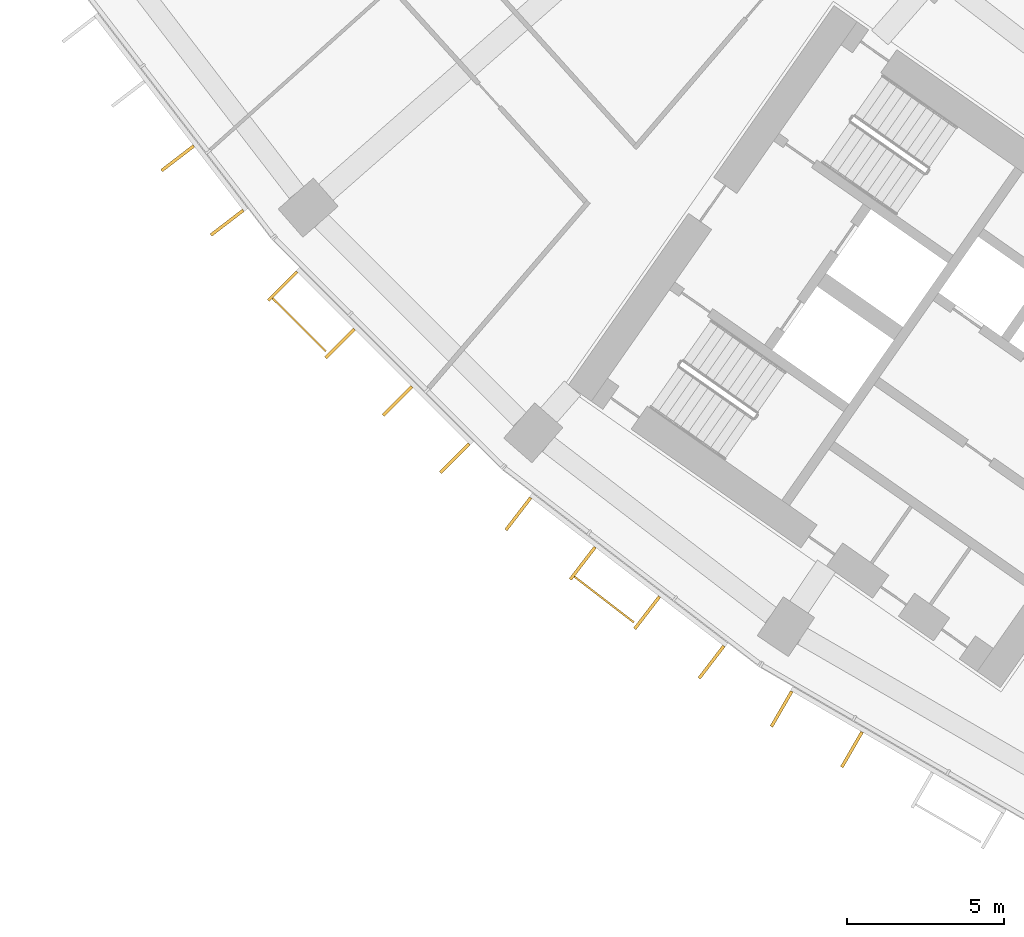
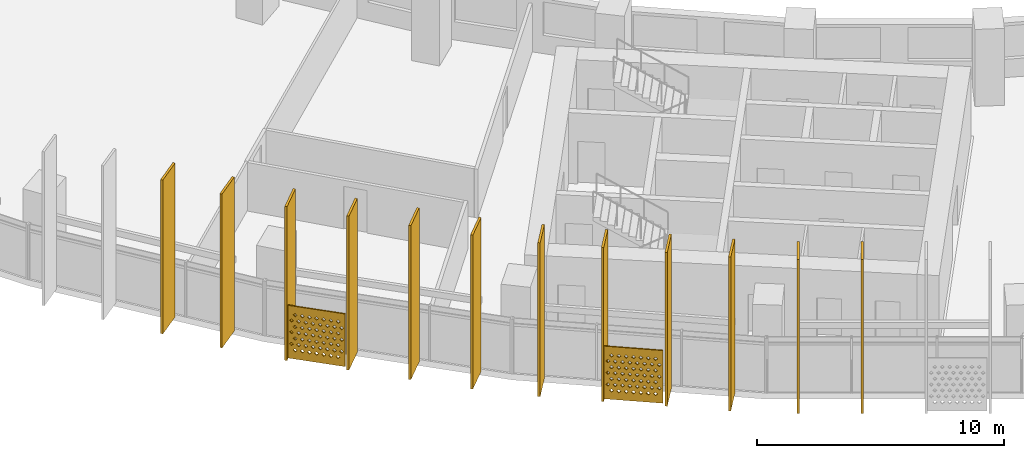
# One storey, part 22 of 29: 14 shading devices.
"""IFC4 building model written with IfcOpenShell, lengths in metres."""

from ifc_helpers import new_model, si_unit, direction, frame, origin, origin_2d, place, context, subcontext, project, spatial, polyline, rectangle, outline, extrude, material, material_profile, profile_set, type_object, element, save


model = new_model("IFC4")

# Units and contexts
model_context = context("Model", 3, precision=1e-05, world=origin(), true_north=direction((0.0, 1.0)))
body_context = subcontext(model_context, "Body", "Model", "MODEL_VIEW")
ifc_project = project(units=[si_unit("LENGTHUNIT", "METRE"), si_unit("AREAUNIT", "SQUARE_METRE"), si_unit("VOLUMEUNIT", "CUBIC_METRE"), si_unit("PLANEANGLEUNIT", "RADIAN"), si_unit("MASSUNIT", "GRAM", prefix="KILO")], contexts=[model_context])

# Site, building, storey
site_placement = place(None, origin())
site = spatial("IfcSite", under=ifc_project, at=site_placement, CompositionType="ELEMENT")
building_placement = place(site_placement, origin())
building = spatial("IfcBuilding", under=site, at=building_placement, Name="Qamariyya Broadcast Tower", CompositionType="ELEMENT")
storey_placement = place(building_placement, frame((0.0, 0.0, 132.89990234375)))
storey = spatial("IfcBuildingStorey", under=building, at=storey_placement, Name="L30", CompositionType="ELEMENT", Elevation=132.89990234375)

# Shading devices
ifc_material_1 = material(Name="Perforated glazed terracotta", Category="masonry")
ifc_material_profile_1 = material_profile(ifc_material_1, outline(polyline([(-1.199951171875, -1.300048828125), (1.199951171875, -1.300048828125), (1.199951171875, 1.300048828125), (-1.199951171875, 1.300048828125), (-1.199951171875, -1.300048828125)]), holes=[polyline([(-0.81494140625, -0.86669921875), (-0.89990234375, -0.78173828125), (-0.985107421875, -0.86669921875), (-0.89990234375, -0.95166015625), (-0.81494140625, -0.86669921875)]), polyline([(-0.514892578125, -0.86669921875), (-0.60009765625, -0.78173828125), (-0.68505859375, -0.86669921875), (-0.60009765625, -0.95166015625), (-0.514892578125, -0.86669921875)]), polyline([(-0.215087890625, -0.86669921875), (-0.300048828125, -0.78173828125), (-0.385009765625, -0.86669921875), (-0.300048828125, -0.95166015625), (-0.215087890625, -0.86669921875)]), polyline([(0.0849609375, -0.86669921875), (0.0, -0.78173828125), (-0.0849609375, -0.86669921875), (0.0, -0.95166015625), (0.0849609375, -0.86669921875)]), polyline([(0.385009765625, -0.86669921875), (0.300048828125, -0.78173828125), (0.215087890625, -0.86669921875), (0.300048828125, -0.95166015625), (0.385009765625, -0.86669921875)]), polyline([(0.68505859375, -0.86669921875), (0.60009765625, -0.78173828125), (0.514892578125, -0.86669921875), (0.60009765625, -0.95166015625), (0.68505859375, -0.86669921875)]), polyline([(0.985107421875, -0.86669921875), (0.89990234375, -0.78173828125), (0.81494140625, -0.86669921875), (0.89990234375, -0.95166015625), (0.985107421875, -0.86669921875)]), polyline([(-0.965087890625, -0.577880859375), (-1.050048828125, -0.49267578125), (-1.135009765625, -0.577880859375), (-1.050048828125, -0.662841796875), (-0.965087890625, -0.577880859375)]), polyline([(-0.6650390625, -0.577880859375), (-0.75, -0.49267578125), (-0.8349609375, -0.577880859375), (-0.75, -0.662841796875), (-0.6650390625, -0.577880859375)]), polyline([(-0.364990234375, -0.577880859375), (-0.449951171875, -0.49267578125), (-0.534912109375, -0.577880859375), (-0.449951171875, -0.662841796875), (-0.364990234375, -0.577880859375)]), polyline([(-0.06494140625, -0.577880859375), (-0.14990234375, -0.49267578125), (-0.235107421875, -0.577880859375), (-0.14990234375, -0.662841796875), (-0.06494140625, -0.577880859375)]), polyline([(0.235107421875, -0.577880859375), (0.14990234375, -0.49267578125), (0.06494140625, -0.577880859375), (0.14990234375, -0.662841796875), (0.235107421875, -0.577880859375)]), polyline([(0.534912109375, -0.577880859375), (0.449951171875, -0.49267578125), (0.364990234375, -0.577880859375), (0.449951171875, -0.662841796875), (0.534912109375, -0.577880859375)]), polyline([(0.8349609375, -0.577880859375), (0.75, -0.49267578125), (0.6650390625, -0.577880859375), (0.75, -0.662841796875), (0.8349609375, -0.577880859375)]), polyline([(1.135009765625, -0.577880859375), (1.050048828125, -0.49267578125), (0.965087890625, -0.577880859375), (1.050048828125, -0.662841796875), (1.135009765625, -0.577880859375)]), polyline([(-0.81494140625, -0.288818359375), (-0.89990234375, -0.203857421875), (-0.985107421875, -0.288818359375), (-0.89990234375, -0.373779296875), (-0.81494140625, -0.288818359375)]), polyline([(-0.514892578125, -0.288818359375), (-0.60009765625, -0.203857421875), (-0.68505859375, -0.288818359375), (-0.60009765625, -0.373779296875), (-0.514892578125, -0.288818359375)]), polyline([(-0.215087890625, -0.288818359375), (-0.300048828125, -0.203857421875), (-0.385009765625, -0.288818359375), (-0.300048828125, -0.373779296875), (-0.215087890625, -0.288818359375)]), polyline([(0.0849609375, -0.288818359375), (0.0, -0.203857421875), (-0.0849609375, -0.288818359375), (0.0, -0.373779296875), (0.0849609375, -0.288818359375)]), polyline([(0.385009765625, -0.288818359375), (0.300048828125, -0.203857421875), (0.215087890625, -0.288818359375), (0.300048828125, -0.373779296875), (0.385009765625, -0.288818359375)]), polyline([(0.68505859375, -0.288818359375), (0.60009765625, -0.203857421875), (0.514892578125, -0.288818359375), (0.60009765625, -0.373779296875), (0.68505859375, -0.288818359375)]), polyline([(0.985107421875, -0.288818359375), (0.89990234375, -0.203857421875), (0.81494140625, -0.288818359375), (0.89990234375, -0.373779296875), (0.985107421875, -0.288818359375)]), polyline([(-0.965087890625, 0.0), (-1.050048828125, 0.0849609375), (-1.135009765625, 0.0), (-1.050048828125, -0.0849609375), (-0.965087890625, 0.0)]), polyline([(-0.6650390625, 0.0), (-0.75, 0.0849609375), (-0.8349609375, 0.0), (-0.75, -0.0849609375), (-0.6650390625, 0.0)]), polyline([(-0.364990234375, 0.0), (-0.449951171875, 0.0849609375), (-0.534912109375, 0.0), (-0.449951171875, -0.0849609375), (-0.364990234375, 0.0)]), polyline([(-0.06494140625, 0.0), (-0.14990234375, 0.0849609375), (-0.235107421875, 0.0), (-0.14990234375, -0.0849609375), (-0.06494140625, 0.0)]), polyline([(0.235107421875, 0.0), (0.14990234375, 0.0849609375), (0.06494140625, 0.0), (0.14990234375, -0.0849609375), (0.235107421875, 0.0)]), polyline([(0.534912109375, 0.0), (0.449951171875, 0.0849609375), (0.364990234375, 0.0), (0.449951171875, -0.0849609375), (0.534912109375, 0.0)]), polyline([(0.8349609375, 0.0), (0.75, 0.0849609375), (0.6650390625, 0.0), (0.75, -0.0849609375), (0.8349609375, 0.0)]), polyline([(1.135009765625, 0.0), (1.050048828125, 0.0849609375), (0.965087890625, 0.0), (1.050048828125, -0.0849609375), (1.135009765625, 0.0)]), polyline([(-0.81494140625, 0.288818359375), (-0.89990234375, 0.373779296875), (-0.985107421875, 0.288818359375), (-0.89990234375, 0.203857421875), (-0.81494140625, 0.288818359375)]), polyline([(-0.514892578125, 0.288818359375), (-0.60009765625, 0.373779296875), (-0.68505859375, 0.288818359375), (-0.60009765625, 0.203857421875), (-0.514892578125, 0.288818359375)]), polyline([(-0.215087890625, 0.288818359375), (-0.300048828125, 0.373779296875), (-0.385009765625, 0.288818359375), (-0.300048828125, 0.203857421875), (-0.215087890625, 0.288818359375)]), polyline([(0.0849609375, 0.288818359375), (0.0, 0.373779296875), (-0.0849609375, 0.288818359375), (0.0, 0.203857421875), (0.0849609375, 0.288818359375)]), polyline([(0.385009765625, 0.288818359375), (0.300048828125, 0.373779296875), (0.215087890625, 0.288818359375), (0.300048828125, 0.203857421875), (0.385009765625, 0.288818359375)]), polyline([(0.68505859375, 0.288818359375), (0.60009765625, 0.373779296875), (0.514892578125, 0.288818359375), (0.60009765625, 0.203857421875), (0.68505859375, 0.288818359375)]), polyline([(0.985107421875, 0.288818359375), (0.89990234375, 0.373779296875), (0.81494140625, 0.288818359375), (0.89990234375, 0.203857421875), (0.985107421875, 0.288818359375)]), polyline([(-0.965087890625, 0.577880859375), (-1.050048828125, 0.662841796875), (-1.135009765625, 0.577880859375), (-1.050048828125, 0.49267578125), (-0.965087890625, 0.577880859375)]), polyline([(-0.6650390625, 0.577880859375), (-0.75, 0.662841796875), (-0.8349609375, 0.577880859375), (-0.75, 0.49267578125), (-0.6650390625, 0.577880859375)]), polyline([(-0.364990234375, 0.577880859375), (-0.449951171875, 0.662841796875), (-0.534912109375, 0.577880859375), (-0.449951171875, 0.49267578125), (-0.364990234375, 0.577880859375)]), polyline([(-0.06494140625, 0.577880859375), (-0.14990234375, 0.662841796875), (-0.235107421875, 0.577880859375), (-0.14990234375, 0.49267578125), (-0.06494140625, 0.577880859375)]), polyline([(0.235107421875, 0.577880859375), (0.14990234375, 0.662841796875), (0.06494140625, 0.577880859375), (0.14990234375, 0.49267578125), (0.235107421875, 0.577880859375)]), polyline([(0.534912109375, 0.577880859375), (0.449951171875, 0.662841796875), (0.364990234375, 0.577880859375), (0.449951171875, 0.49267578125), (0.534912109375, 0.577880859375)]), polyline([(0.8349609375, 0.577880859375), (0.75, 0.662841796875), (0.6650390625, 0.577880859375), (0.75, 0.49267578125), (0.8349609375, 0.577880859375)]), polyline([(1.135009765625, 0.577880859375), (1.050048828125, 0.662841796875), (0.965087890625, 0.577880859375), (1.050048828125, 0.49267578125), (1.135009765625, 0.577880859375)]), polyline([(-0.81494140625, 0.86669921875), (-0.89990234375, 0.95166015625), (-0.985107421875, 0.86669921875), (-0.89990234375, 0.78173828125), (-0.81494140625, 0.86669921875)]), polyline([(-0.514892578125, 0.86669921875), (-0.60009765625, 0.95166015625), (-0.68505859375, 0.86669921875), (-0.60009765625, 0.78173828125), (-0.514892578125, 0.86669921875)]), polyline([(-0.215087890625, 0.86669921875), (-0.300048828125, 0.95166015625), (-0.385009765625, 0.86669921875), (-0.300048828125, 0.78173828125), (-0.215087890625, 0.86669921875)]), polyline([(0.0849609375, 0.86669921875), (0.0, 0.95166015625), (-0.0849609375, 0.86669921875), (0.0, 0.78173828125), (0.0849609375, 0.86669921875)]), polyline([(0.385009765625, 0.86669921875), (0.300048828125, 0.95166015625), (0.215087890625, 0.86669921875), (0.300048828125, 0.78173828125), (0.385009765625, 0.86669921875)]), polyline([(0.68505859375, 0.86669921875), (0.60009765625, 0.95166015625), (0.514892578125, 0.86669921875), (0.60009765625, 0.78173828125), (0.68505859375, 0.86669921875)]), polyline([(0.985107421875, 0.86669921875), (0.89990234375, 0.95166015625), (0.81494140625, 0.86669921875), (0.89990234375, 0.78173828125), (0.985107421875, 0.86669921875)])]))
ifc_profile_set_1 = profile_set([ifc_material_profile_1], Name="Perforated glazed terracotta")
shading_device_type_1 = type_object("IfcShadingDeviceType", Name="Perforated terracotta screen 2400 x 2600", PredefinedType="USERDEFINED", material=ifc_profile_set_1)
shading_device_1_placement = place(storey_placement, frame((-58.71826171875, -54.98486328125, 1.35009765625), z_axis=(-0.705066081692, -0.709141608176, 0.0), x_axis=(0.709141608176, -0.705066081692, 0.0)))
element("IfcShadingDevice", 1, at=shading_device_1_placement, inside=storey, type_object=shading_device_type_1, Name="e-scr-L30-03-0", ObjectType="SCREEN", PredefinedType="USERDEFINED", context=body_context, shape_type="SweptSolid", body=[
    extrude(outline(polyline([(-1.199951171875, -1.300048828125), (1.199951171875, -1.300048828125), (1.199951171875, 1.300048828125), (-1.199951171875, 1.300048828125), (-1.199951171875, -1.300048828125)]), holes=[polyline([(-0.81494140625, -0.86669921875), (-0.89990234375, -0.78173828125), (-0.985107421875, -0.86669921875), (-0.89990234375, -0.95166015625), (-0.81494140625, -0.86669921875)]), polyline([(-0.514892578125, -0.86669921875), (-0.60009765625, -0.78173828125), (-0.68505859375, -0.86669921875), (-0.60009765625, -0.95166015625), (-0.514892578125, -0.86669921875)]), polyline([(-0.215087890625, -0.86669921875), (-0.300048828125, -0.78173828125), (-0.385009765625, -0.86669921875), (-0.300048828125, -0.95166015625), (-0.215087890625, -0.86669921875)]), polyline([(0.0849609375, -0.86669921875), (0.0, -0.78173828125), (-0.0849609375, -0.86669921875), (0.0, -0.95166015625), (0.0849609375, -0.86669921875)]), polyline([(0.385009765625, -0.86669921875), (0.300048828125, -0.78173828125), (0.215087890625, -0.86669921875), (0.300048828125, -0.95166015625), (0.385009765625, -0.86669921875)]), polyline([(0.68505859375, -0.86669921875), (0.60009765625, -0.78173828125), (0.514892578125, -0.86669921875), (0.60009765625, -0.95166015625), (0.68505859375, -0.86669921875)]), polyline([(0.985107421875, -0.86669921875), (0.89990234375, -0.78173828125), (0.81494140625, -0.86669921875), (0.89990234375, -0.95166015625), (0.985107421875, -0.86669921875)]), polyline([(-0.965087890625, -0.577880859375), (-1.050048828125, -0.49267578125), (-1.135009765625, -0.577880859375), (-1.050048828125, -0.662841796875), (-0.965087890625, -0.577880859375)]), polyline([(-0.6650390625, -0.577880859375), (-0.75, -0.49267578125), (-0.8349609375, -0.577880859375), (-0.75, -0.662841796875), (-0.6650390625, -0.577880859375)]), polyline([(-0.364990234375, -0.577880859375), (-0.449951171875, -0.49267578125), (-0.534912109375, -0.577880859375), (-0.449951171875, -0.662841796875), (-0.364990234375, -0.577880859375)]), polyline([(-0.06494140625, -0.577880859375), (-0.14990234375, -0.49267578125), (-0.235107421875, -0.577880859375), (-0.14990234375, -0.662841796875), (-0.06494140625, -0.577880859375)]), polyline([(0.235107421875, -0.577880859375), (0.14990234375, -0.49267578125), (0.06494140625, -0.577880859375), (0.14990234375, -0.662841796875), (0.235107421875, -0.577880859375)]), polyline([(0.534912109375, -0.577880859375), (0.449951171875, -0.49267578125), (0.364990234375, -0.577880859375), (0.449951171875, -0.662841796875), (0.534912109375, -0.577880859375)]), polyline([(0.8349609375, -0.577880859375), (0.75, -0.49267578125), (0.6650390625, -0.577880859375), (0.75, -0.662841796875), (0.8349609375, -0.577880859375)]), polyline([(1.135009765625, -0.577880859375), (1.050048828125, -0.49267578125), (0.965087890625, -0.577880859375), (1.050048828125, -0.662841796875), (1.135009765625, -0.577880859375)]), polyline([(-0.81494140625, -0.288818359375), (-0.89990234375, -0.203857421875), (-0.985107421875, -0.288818359375), (-0.89990234375, -0.373779296875), (-0.81494140625, -0.288818359375)]), polyline([(-0.514892578125, -0.288818359375), (-0.60009765625, -0.203857421875), (-0.68505859375, -0.288818359375), (-0.60009765625, -0.373779296875), (-0.514892578125, -0.288818359375)]), polyline([(-0.215087890625, -0.288818359375), (-0.300048828125, -0.203857421875), (-0.385009765625, -0.288818359375), (-0.300048828125, -0.373779296875), (-0.215087890625, -0.288818359375)]), polyline([(0.0849609375, -0.288818359375), (0.0, -0.203857421875), (-0.0849609375, -0.288818359375), (0.0, -0.373779296875), (0.0849609375, -0.288818359375)]), polyline([(0.385009765625, -0.288818359375), (0.300048828125, -0.203857421875), (0.215087890625, -0.288818359375), (0.300048828125, -0.373779296875), (0.385009765625, -0.288818359375)]), polyline([(0.68505859375, -0.288818359375), (0.60009765625, -0.203857421875), (0.514892578125, -0.288818359375), (0.60009765625, -0.373779296875), (0.68505859375, -0.288818359375)]), polyline([(0.985107421875, -0.288818359375), (0.89990234375, -0.203857421875), (0.81494140625, -0.288818359375), (0.89990234375, -0.373779296875), (0.985107421875, -0.288818359375)]), polyline([(-0.965087890625, 0.0), (-1.050048828125, 0.0849609375), (-1.135009765625, 0.0), (-1.050048828125, -0.0849609375), (-0.965087890625, 0.0)]), polyline([(-0.6650390625, 0.0), (-0.75, 0.0849609375), (-0.8349609375, 0.0), (-0.75, -0.0849609375), (-0.6650390625, 0.0)]), polyline([(-0.364990234375, 0.0), (-0.449951171875, 0.0849609375), (-0.534912109375, 0.0), (-0.449951171875, -0.0849609375), (-0.364990234375, 0.0)]), polyline([(-0.06494140625, 0.0), (-0.14990234375, 0.0849609375), (-0.235107421875, 0.0), (-0.14990234375, -0.0849609375), (-0.06494140625, 0.0)]), polyline([(0.235107421875, 0.0), (0.14990234375, 0.0849609375), (0.06494140625, 0.0), (0.14990234375, -0.0849609375), (0.235107421875, 0.0)]), polyline([(0.534912109375, 0.0), (0.449951171875, 0.0849609375), (0.364990234375, 0.0), (0.449951171875, -0.0849609375), (0.534912109375, 0.0)]), polyline([(0.8349609375, 0.0), (0.75, 0.0849609375), (0.6650390625, 0.0), (0.75, -0.0849609375), (0.8349609375, 0.0)]), polyline([(1.135009765625, 0.0), (1.050048828125, 0.0849609375), (0.965087890625, 0.0), (1.050048828125, -0.0849609375), (1.135009765625, 0.0)]), polyline([(-0.81494140625, 0.288818359375), (-0.89990234375, 0.373779296875), (-0.985107421875, 0.288818359375), (-0.89990234375, 0.203857421875), (-0.81494140625, 0.288818359375)]), polyline([(-0.514892578125, 0.288818359375), (-0.60009765625, 0.373779296875), (-0.68505859375, 0.288818359375), (-0.60009765625, 0.203857421875), (-0.514892578125, 0.288818359375)]), polyline([(-0.215087890625, 0.288818359375), (-0.300048828125, 0.373779296875), (-0.385009765625, 0.288818359375), (-0.300048828125, 0.203857421875), (-0.215087890625, 0.288818359375)]), polyline([(0.0849609375, 0.288818359375), (0.0, 0.373779296875), (-0.0849609375, 0.288818359375), (0.0, 0.203857421875), (0.0849609375, 0.288818359375)]), polyline([(0.385009765625, 0.288818359375), (0.300048828125, 0.373779296875), (0.215087890625, 0.288818359375), (0.300048828125, 0.203857421875), (0.385009765625, 0.288818359375)]), polyline([(0.68505859375, 0.288818359375), (0.60009765625, 0.373779296875), (0.514892578125, 0.288818359375), (0.60009765625, 0.203857421875), (0.68505859375, 0.288818359375)]), polyline([(0.985107421875, 0.288818359375), (0.89990234375, 0.373779296875), (0.81494140625, 0.288818359375), (0.89990234375, 0.203857421875), (0.985107421875, 0.288818359375)]), polyline([(-0.965087890625, 0.577880859375), (-1.050048828125, 0.662841796875), (-1.135009765625, 0.577880859375), (-1.050048828125, 0.49267578125), (-0.965087890625, 0.577880859375)]), polyline([(-0.6650390625, 0.577880859375), (-0.75, 0.662841796875), (-0.8349609375, 0.577880859375), (-0.75, 0.49267578125), (-0.6650390625, 0.577880859375)]), polyline([(-0.364990234375, 0.577880859375), (-0.449951171875, 0.662841796875), (-0.534912109375, 0.577880859375), (-0.449951171875, 0.49267578125), (-0.364990234375, 0.577880859375)]), polyline([(-0.06494140625, 0.577880859375), (-0.14990234375, 0.662841796875), (-0.235107421875, 0.577880859375), (-0.14990234375, 0.49267578125), (-0.06494140625, 0.577880859375)]), polyline([(0.235107421875, 0.577880859375), (0.14990234375, 0.662841796875), (0.06494140625, 0.577880859375), (0.14990234375, 0.49267578125), (0.235107421875, 0.577880859375)]), polyline([(0.534912109375, 0.577880859375), (0.449951171875, 0.662841796875), (0.364990234375, 0.577880859375), (0.449951171875, 0.49267578125), (0.534912109375, 0.577880859375)]), polyline([(0.8349609375, 0.577880859375), (0.75, 0.662841796875), (0.6650390625, 0.577880859375), (0.75, 0.49267578125), (0.8349609375, 0.577880859375)]), polyline([(1.135009765625, 0.577880859375), (1.050048828125, 0.662841796875), (0.965087890625, 0.577880859375), (1.050048828125, 0.49267578125), (1.135009765625, 0.577880859375)]), polyline([(-0.81494140625, 0.86669921875), (-0.89990234375, 0.95166015625), (-0.985107421875, 0.86669921875), (-0.89990234375, 0.78173828125), (-0.81494140625, 0.86669921875)]), polyline([(-0.514892578125, 0.86669921875), (-0.60009765625, 0.95166015625), (-0.68505859375, 0.86669921875), (-0.60009765625, 0.78173828125), (-0.514892578125, 0.86669921875)]), polyline([(-0.215087890625, 0.86669921875), (-0.300048828125, 0.95166015625), (-0.385009765625, 0.86669921875), (-0.300048828125, 0.78173828125), (-0.215087890625, 0.86669921875)]), polyline([(0.0849609375, 0.86669921875), (0.0, 0.95166015625), (-0.0849609375, 0.86669921875), (0.0, 0.78173828125), (0.0849609375, 0.86669921875)]), polyline([(0.385009765625, 0.86669921875), (0.300048828125, 0.95166015625), (0.215087890625, 0.86669921875), (0.300048828125, 0.78173828125), (0.385009765625, 0.86669921875)]), polyline([(0.68505859375, 0.86669921875), (0.60009765625, 0.95166015625), (0.514892578125, 0.86669921875), (0.60009765625, 0.78173828125), (0.68505859375, 0.86669921875)]), polyline([(0.985107421875, 0.86669921875), (0.89990234375, 0.95166015625), (0.81494140625, 0.86669921875), (0.89990234375, 0.78173828125), (0.985107421875, 0.86669921875)])]), origin(), (0.0, 0.0, 1.0), 0.059814453125),
])
shading_device_2_placement = place(storey_placement, frame((-48.9814453125, -63.75732421875, 1.35009765625), z_axis=(-0.60971076085, -0.792623989105, 0.0), x_axis=(0.792623989105, -0.60971076085, 0.0)))
element("IfcShadingDevice", 2, at=shading_device_2_placement, inside=storey, type_object=shading_device_type_1, Name="e-scr-L30-04-1", ObjectType="SCREEN", PredefinedType="USERDEFINED", context=body_context, shape_type="SweptSolid", body=[
    extrude(outline(polyline([(-1.199951171875, -1.300048828125), (1.199951171875, -1.300048828125), (1.199951171875, 1.300048828125), (-1.199951171875, 1.300048828125), (-1.199951171875, -1.300048828125)]), holes=[polyline([(-0.81494140625, -0.86669921875), (-0.89990234375, -0.78173828125), (-0.985107421875, -0.86669921875), (-0.89990234375, -0.95166015625), (-0.81494140625, -0.86669921875)]), polyline([(-0.514892578125, -0.86669921875), (-0.60009765625, -0.78173828125), (-0.68505859375, -0.86669921875), (-0.60009765625, -0.95166015625), (-0.514892578125, -0.86669921875)]), polyline([(-0.215087890625, -0.86669921875), (-0.300048828125, -0.78173828125), (-0.385009765625, -0.86669921875), (-0.300048828125, -0.95166015625), (-0.215087890625, -0.86669921875)]), polyline([(0.0849609375, -0.86669921875), (0.0, -0.78173828125), (-0.0849609375, -0.86669921875), (0.0, -0.95166015625), (0.0849609375, -0.86669921875)]), polyline([(0.385009765625, -0.86669921875), (0.300048828125, -0.78173828125), (0.215087890625, -0.86669921875), (0.300048828125, -0.95166015625), (0.385009765625, -0.86669921875)]), polyline([(0.68505859375, -0.86669921875), (0.60009765625, -0.78173828125), (0.514892578125, -0.86669921875), (0.60009765625, -0.95166015625), (0.68505859375, -0.86669921875)]), polyline([(0.985107421875, -0.86669921875), (0.89990234375, -0.78173828125), (0.81494140625, -0.86669921875), (0.89990234375, -0.95166015625), (0.985107421875, -0.86669921875)]), polyline([(-0.965087890625, -0.577880859375), (-1.050048828125, -0.49267578125), (-1.135009765625, -0.577880859375), (-1.050048828125, -0.662841796875), (-0.965087890625, -0.577880859375)]), polyline([(-0.6650390625, -0.577880859375), (-0.75, -0.49267578125), (-0.8349609375, -0.577880859375), (-0.75, -0.662841796875), (-0.6650390625, -0.577880859375)]), polyline([(-0.364990234375, -0.577880859375), (-0.449951171875, -0.49267578125), (-0.534912109375, -0.577880859375), (-0.449951171875, -0.662841796875), (-0.364990234375, -0.577880859375)]), polyline([(-0.06494140625, -0.577880859375), (-0.14990234375, -0.49267578125), (-0.235107421875, -0.577880859375), (-0.14990234375, -0.662841796875), (-0.06494140625, -0.577880859375)]), polyline([(0.235107421875, -0.577880859375), (0.14990234375, -0.49267578125), (0.06494140625, -0.577880859375), (0.14990234375, -0.662841796875), (0.235107421875, -0.577880859375)]), polyline([(0.534912109375, -0.577880859375), (0.449951171875, -0.49267578125), (0.364990234375, -0.577880859375), (0.449951171875, -0.662841796875), (0.534912109375, -0.577880859375)]), polyline([(0.8349609375, -0.577880859375), (0.75, -0.49267578125), (0.6650390625, -0.577880859375), (0.75, -0.662841796875), (0.8349609375, -0.577880859375)]), polyline([(1.135009765625, -0.577880859375), (1.050048828125, -0.49267578125), (0.965087890625, -0.577880859375), (1.050048828125, -0.662841796875), (1.135009765625, -0.577880859375)]), polyline([(-0.81494140625, -0.288818359375), (-0.89990234375, -0.203857421875), (-0.985107421875, -0.288818359375), (-0.89990234375, -0.373779296875), (-0.81494140625, -0.288818359375)]), polyline([(-0.514892578125, -0.288818359375), (-0.60009765625, -0.203857421875), (-0.68505859375, -0.288818359375), (-0.60009765625, -0.373779296875), (-0.514892578125, -0.288818359375)]), polyline([(-0.215087890625, -0.288818359375), (-0.300048828125, -0.203857421875), (-0.385009765625, -0.288818359375), (-0.300048828125, -0.373779296875), (-0.215087890625, -0.288818359375)]), polyline([(0.0849609375, -0.288818359375), (0.0, -0.203857421875), (-0.0849609375, -0.288818359375), (0.0, -0.373779296875), (0.0849609375, -0.288818359375)]), polyline([(0.385009765625, -0.288818359375), (0.300048828125, -0.203857421875), (0.215087890625, -0.288818359375), (0.300048828125, -0.373779296875), (0.385009765625, -0.288818359375)]), polyline([(0.68505859375, -0.288818359375), (0.60009765625, -0.203857421875), (0.514892578125, -0.288818359375), (0.60009765625, -0.373779296875), (0.68505859375, -0.288818359375)]), polyline([(0.985107421875, -0.288818359375), (0.89990234375, -0.203857421875), (0.81494140625, -0.288818359375), (0.89990234375, -0.373779296875), (0.985107421875, -0.288818359375)]), polyline([(-0.965087890625, 0.0), (-1.050048828125, 0.0849609375), (-1.135009765625, 0.0), (-1.050048828125, -0.0849609375), (-0.965087890625, 0.0)]), polyline([(-0.6650390625, 0.0), (-0.75, 0.0849609375), (-0.8349609375, 0.0), (-0.75, -0.0849609375), (-0.6650390625, 0.0)]), polyline([(-0.364990234375, 0.0), (-0.449951171875, 0.0849609375), (-0.534912109375, 0.0), (-0.449951171875, -0.0849609375), (-0.364990234375, 0.0)]), polyline([(-0.06494140625, 0.0), (-0.14990234375, 0.0849609375), (-0.235107421875, 0.0), (-0.14990234375, -0.0849609375), (-0.06494140625, 0.0)]), polyline([(0.235107421875, 0.0), (0.14990234375, 0.0849609375), (0.06494140625, 0.0), (0.14990234375, -0.0849609375), (0.235107421875, 0.0)]), polyline([(0.534912109375, 0.0), (0.449951171875, 0.0849609375), (0.364990234375, 0.0), (0.449951171875, -0.0849609375), (0.534912109375, 0.0)]), polyline([(0.8349609375, 0.0), (0.75, 0.0849609375), (0.6650390625, 0.0), (0.75, -0.0849609375), (0.8349609375, 0.0)]), polyline([(1.135009765625, 0.0), (1.050048828125, 0.0849609375), (0.965087890625, 0.0), (1.050048828125, -0.0849609375), (1.135009765625, 0.0)]), polyline([(-0.81494140625, 0.288818359375), (-0.89990234375, 0.373779296875), (-0.985107421875, 0.288818359375), (-0.89990234375, 0.203857421875), (-0.81494140625, 0.288818359375)]), polyline([(-0.514892578125, 0.288818359375), (-0.60009765625, 0.373779296875), (-0.68505859375, 0.288818359375), (-0.60009765625, 0.203857421875), (-0.514892578125, 0.288818359375)]), polyline([(-0.215087890625, 0.288818359375), (-0.300048828125, 0.373779296875), (-0.385009765625, 0.288818359375), (-0.300048828125, 0.203857421875), (-0.215087890625, 0.288818359375)]), polyline([(0.0849609375, 0.288818359375), (0.0, 0.373779296875), (-0.0849609375, 0.288818359375), (0.0, 0.203857421875), (0.0849609375, 0.288818359375)]), polyline([(0.385009765625, 0.288818359375), (0.300048828125, 0.373779296875), (0.215087890625, 0.288818359375), (0.300048828125, 0.203857421875), (0.385009765625, 0.288818359375)]), polyline([(0.68505859375, 0.288818359375), (0.60009765625, 0.373779296875), (0.514892578125, 0.288818359375), (0.60009765625, 0.203857421875), (0.68505859375, 0.288818359375)]), polyline([(0.985107421875, 0.288818359375), (0.89990234375, 0.373779296875), (0.81494140625, 0.288818359375), (0.89990234375, 0.203857421875), (0.985107421875, 0.288818359375)]), polyline([(-0.965087890625, 0.577880859375), (-1.050048828125, 0.662841796875), (-1.135009765625, 0.577880859375), (-1.050048828125, 0.49267578125), (-0.965087890625, 0.577880859375)]), polyline([(-0.6650390625, 0.577880859375), (-0.75, 0.662841796875), (-0.8349609375, 0.577880859375), (-0.75, 0.49267578125), (-0.6650390625, 0.577880859375)]), polyline([(-0.364990234375, 0.577880859375), (-0.449951171875, 0.662841796875), (-0.534912109375, 0.577880859375), (-0.449951171875, 0.49267578125), (-0.364990234375, 0.577880859375)]), polyline([(-0.06494140625, 0.577880859375), (-0.14990234375, 0.662841796875), (-0.235107421875, 0.577880859375), (-0.14990234375, 0.49267578125), (-0.06494140625, 0.577880859375)]), polyline([(0.235107421875, 0.577880859375), (0.14990234375, 0.662841796875), (0.06494140625, 0.577880859375), (0.14990234375, 0.49267578125), (0.235107421875, 0.577880859375)]), polyline([(0.534912109375, 0.577880859375), (0.449951171875, 0.662841796875), (0.364990234375, 0.577880859375), (0.449951171875, 0.49267578125), (0.534912109375, 0.577880859375)]), polyline([(0.8349609375, 0.577880859375), (0.75, 0.662841796875), (0.6650390625, 0.577880859375), (0.75, 0.49267578125), (0.8349609375, 0.577880859375)]), polyline([(1.135009765625, 0.577880859375), (1.050048828125, 0.662841796875), (0.965087890625, 0.577880859375), (1.050048828125, 0.49267578125), (1.135009765625, 0.577880859375)]), polyline([(-0.81494140625, 0.86669921875), (-0.89990234375, 0.95166015625), (-0.985107421875, 0.86669921875), (-0.89990234375, 0.78173828125), (-0.81494140625, 0.86669921875)]), polyline([(-0.514892578125, 0.86669921875), (-0.60009765625, 0.95166015625), (-0.68505859375, 0.86669921875), (-0.60009765625, 0.78173828125), (-0.514892578125, 0.86669921875)]), polyline([(-0.215087890625, 0.86669921875), (-0.300048828125, 0.95166015625), (-0.385009765625, 0.86669921875), (-0.300048828125, 0.78173828125), (-0.215087890625, 0.86669921875)]), polyline([(0.0849609375, 0.86669921875), (0.0, 0.95166015625), (-0.0849609375, 0.86669921875), (0.0, 0.78173828125), (0.0849609375, 0.86669921875)]), polyline([(0.385009765625, 0.86669921875), (0.300048828125, 0.95166015625), (0.215087890625, 0.86669921875), (0.300048828125, 0.78173828125), (0.385009765625, 0.86669921875)]), polyline([(0.68505859375, 0.86669921875), (0.60009765625, 0.95166015625), (0.514892578125, 0.86669921875), (0.60009765625, 0.78173828125), (0.68505859375, 0.86669921875)]), polyline([(0.985107421875, 0.86669921875), (0.89990234375, 0.95166015625), (0.81494140625, 0.86669921875), (0.89990234375, 0.78173828125), (0.985107421875, 0.86669921875)])]), origin(), (0.0, 0.0, 1.0), 0.06005859375),
])
ifc_material_2 = material(Name="Glazed terracotta", Category="masonry")
ifc_material_profile_2 = material_profile(ifc_material_2, rectangle(XDim=1.300048828125, YDim=0.10009765625, at=origin_2d()))
ifc_profile_set_2 = profile_set([ifc_material_profile_2], Name="Glazed terracotta")
shading_device_type_2 = type_object("IfcShadingDeviceType", Name="Terracotta fin 100 x 1300", PredefinedType="USERDEFINED", material=ifc_profile_set_2)
for number, where, z_axis, x_axis, name in (
    (3, (-62.62353515625, -49.68701171875, 0.0), (0.0, 0.0, 1.0), (-0.793353340291, -0.608761429009, 0.0), "e-fin-L30-02-2"),
    (4, (-61.044921875, -51.744384765625, 0.0), (0.0, 0.0, 1.0), (-0.793353340291, -0.608761429009, 0.0), "e-fin-L30-02-3"),
    (5, (-59.269775390625, -53.7685546875, 0.0), (0.0, 0.0, 1.0), (-0.707106781187, -0.707106781187, 0.0), "e-fin-L30-03-0"),
    (6, (-57.43603515625, -55.602294921875, 0.0), (0.0, 0.0, 1.0), (-0.707106781187, -0.707106781187, 0.0), "e-fin-L30-03-1"),
    (7, (-55.602294921875, -57.43603515625, 0.0), (0.0, 0.0, 1.0), (-0.707106781187, -0.707106781187, 0.0), "e-fin-L30-03-2"),
    (8, (-53.7685546875, -59.269775390625, 0.0), (0.0, 0.0, 1.0), (-0.707106781187, -0.707106781187, 0.0), "e-fin-L30-03-3"),
    (9, (-51.744384765625, -61.044921875, 0.0), (0.0, 0.0, 1.0), (-0.608761429009, -0.793353340291, 0.0), "e-fin-L30-04-0"),
    (10, (-49.68701171875, -62.62353515625, 0.0), (0.0, 0.0, 1.0), (-0.608761429009, -0.793353340291, 0.0), "e-fin-L30-04-1"),
    (11, (-47.629638671875, -64.2021484375, 0.0), (0.0, 0.0, 1.0), (-0.608761429009, -0.793353340291, 0.0), "e-fin-L30-04-2"),
    (12, (-45.572509765625, -65.781005859375, 0.0), (0.0, 0.0, 1.0), (-0.608761429009, -0.793353340291, 0.0), "e-fin-L30-04-3"),
    (13, (-43.333740234375, -67.276611328125, 0.0), (0.0, 0.0, 1.0), (-0.5, -0.866025403784, 0.0), "e-fin-L30-05-0"),
    (14, (-41.087890625, -68.5732421875, 0.0), (0.0, 0.0, 1.0), (-0.5, -0.866025403784, 0.0), "e-fin-L30-05-1"),
):
    element("IfcShadingDevice", number, at=place(storey_placement, frame(where, z_axis=z_axis, x_axis=x_axis)), inside=storey, type_object=shading_device_type_2, Name=name, ObjectType="FIN", PredefinedType="USERDEFINED", context=body_context, shape_type="SweptSolid", body=[
        extrude(rectangle(XDim=1.300048828125, YDim=0.10009765625, at=origin_2d()), origin(), (0.0, 0.0, 1.0), 7.60009765625),
    ])

save(model, "model.ifc")
